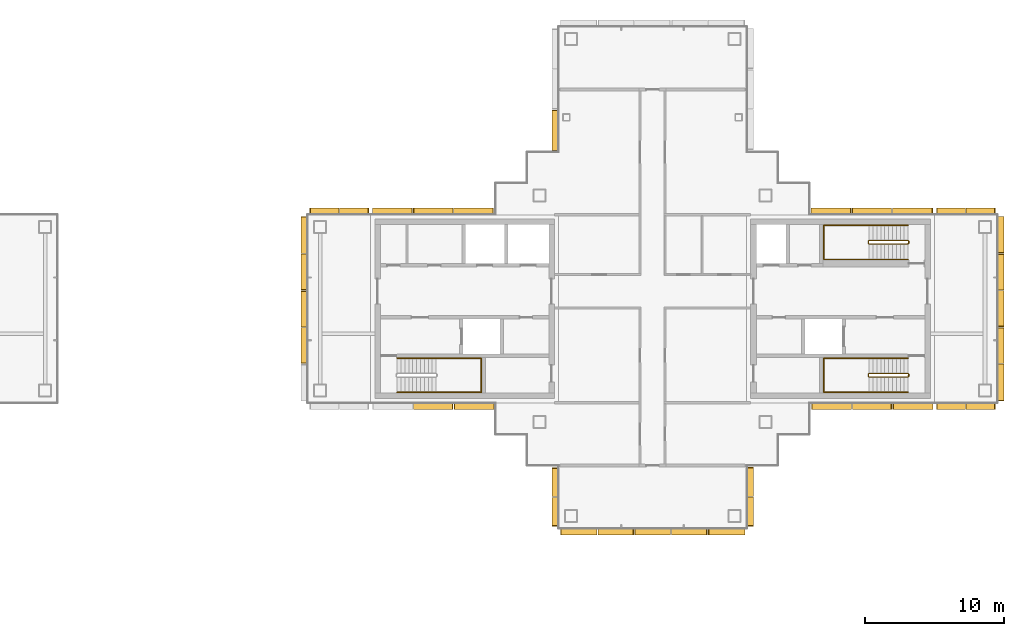
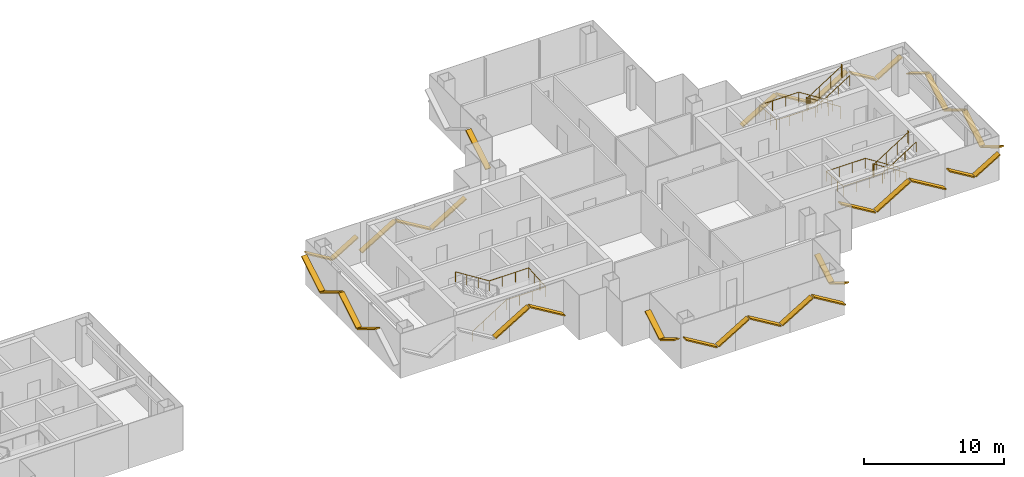
# One storey, part 15 of 17: 36 shading devices, 5 railings.
"""IFC4 building model written with IfcOpenShell, lengths in metres."""

from ifc_helpers import new_model, si_unit, direction, frame, origin, origin_2d, place, context, subcontext, project, spatial, rectangle, circle, extrude, material, material_profile, profile_set, type_object, element, save


model = new_model("IFC4")

# Units and contexts
model_context = context("Model", 3, precision=1e-05, world=origin(), true_north=direction((0.0, 1.0)))
body_context = subcontext(model_context, "Body", "Model", "MODEL_VIEW")
ifc_project = project(units=[si_unit("LENGTHUNIT", "METRE"), si_unit("AREAUNIT", "SQUARE_METRE"), si_unit("VOLUMEUNIT", "CUBIC_METRE"), si_unit("PLANEANGLEUNIT", "RADIAN"), si_unit("MASSUNIT", "GRAM", prefix="KILO")], contexts=[model_context])

# Site, building, storey
site_placement = place(None, origin())
site = spatial("IfcSite", under=ifc_project, at=site_placement, CompositionType="ELEMENT")
building_placement = place(site_placement, origin())
building = spatial("IfcBuilding", under=site, at=building_placement, Name="Shamsa Quay Exchange Towers", CompositionType="ELEMENT")
storey_placement = place(building_placement, frame((0.0, 0.0, 253.800048828125)))
storey = spatial("IfcBuildingStorey", under=building, at=storey_placement, Name="L61", CompositionType="ELEMENT", Elevation=253.800048828125)

# Shading devices
ifc_material_1 = material(Name="Aluminium EN AW-6063 T6, black anodised", Category="aluminium")
ifc_material_profile = material_profile(ifc_material_1, rectangle(XDim=0.449951171875, YDim=0.10009765625, at=origin_2d()), Name="FIN450x100")
ifc_profile_set = profile_set([ifc_material_profile], Name="Aluminium EN AW-6063 T6, black anodised")
shading_device_type = type_object("IfcShadingDeviceType", Name="FIN 450x100 BLACK ALUMINIUM", PredefinedType="USERDEFINED", material=ifc_profile_set)
shading_device_1_placement = place(storey_placement, frame((45.18798828125, -7.01904296875, 2.452392578125), z_axis=(0.857173881605, 0.0, -0.51502712229), x_axis=(0.0, 1.0, 0.0)))
element("IfcShadingDevice", 1, at=shading_device_1_placement, inside=storey, type_object=shading_device_type, Name="FIN T2 chevron rib", ObjectType="FIN", PredefinedType="USERDEFINED", context=body_context, shape_type="SweptSolid", body=[
    extrude(rectangle(XDim=0.449951171875, YDim=0.10009765625, at=origin_2d()), origin(), (0.0, 0.0, 1.0), 3.310302734375),
])
shading_device_2_placement = place(storey_placement, frame((48.125244140625, -7.01904296875, 0.762451171875), z_axis=(0.857168152113, 0.0, 0.515036657922), x_axis=(0.0, 1.0, 0.0)))
element("IfcShadingDevice", 2, at=shading_device_2_placement, inside=storey, type_object=shading_device_type, Name="FIN T2 chevron rib", ObjectType="FIN", PredefinedType="USERDEFINED", context=body_context, shape_type="SweptSolid", body=[
    extrude(rectangle(XDim=0.449951171875, YDim=0.10009765625, at=origin_2d()), origin(), (0.0, 0.0, 1.0), 3.251708984375),
])
shading_device_3_placement = place(storey_placement, frame((51.0126953125, -7.01904296875, 2.452392578125), z_axis=(0.857173881605, 0.0, -0.51502712229), x_axis=(0.0, 1.0, 0.0)))
element("IfcShadingDevice", 3, at=shading_device_3_placement, inside=storey, type_object=shading_device_type, Name="FIN T2 chevron rib", ObjectType="FIN", PredefinedType="USERDEFINED", context=body_context, shape_type="SweptSolid", body=[
    extrude(rectangle(XDim=0.449951171875, YDim=0.10009765625, at=origin_2d()), origin(), (0.0, 0.0, 1.0), 3.310302734375),
])
for number, where, z_axis, x_axis, name in (
    (4, (54.14990234375, -7.014892578125, 2.2158203125), (0.857186526385, 0.0, -0.515006076648), (0.0, 1.0, 0.0), "FIN T2 chevron rib"),
    (5, (56.300048828125, -7.014892578125, 0.984130859375), (0.857186526385, 0.0, 0.515006076648), (0.0, 1.0, 0.0), "FIN T2 chevron rib"),
):
    element("IfcShadingDevice", number, at=place(storey_placement, frame(where, z_axis=z_axis, x_axis=x_axis)), inside=storey, type_object=shading_device_type, Name=name, ObjectType="FIN", PredefinedType="USERDEFINED", context=body_context, shape_type="SweptSolid", body=[
        extrude(rectangle(XDim=0.449951171875, YDim=0.10009765625, at=origin_2d()), origin(), (0.0, 0.0, 1.0), 2.3916015625),
    ])
shading_device_4_placement = place(storey_placement, frame((58.764892578125, -6.60009765625, 2.378173828125), z_axis=(0.0, 0.857150546907, -0.51506595688), x_axis=(-1.0, 0.0, 0.0)))
element("IfcShadingDevice", 6, at=shading_device_4_placement, inside=storey, type_object=shading_device_type, Name="FIN T2 chevron rib", ObjectType="FIN", PredefinedType="USERDEFINED", context=body_context, shape_type="SweptSolid", body=[
    extrude(rectangle(XDim=0.449951171875, YDim=0.10009765625, at=origin_2d()), origin(), (0.0, 0.0, 1.0), 3.021728515625),
])
for number, where, z_axis, x_axis, name in (
    (7, (58.764892578125, -3.909912109375, 0.8369140625), (0.0, 0.857158316574, 0.515053026714), (-1.0, 0.0, 0.0), "FIN T2 chevron rib"),
    (8, (58.764892578125, -1.27001953125, 2.363037109375), (0.0, 0.857180172053, -0.515016652778), (-1.0, 0.0, 0.0), "FIN T2 chevron rib"),
    (9, (58.764892578125, 1.3701171875, 0.8369140625), (0.0, 0.857158316574, 0.515053026714), (-1.0, 0.0, 0.0), "FIN T2 chevron rib"),
):
    element("IfcShadingDevice", number, at=place(storey_placement, frame(where, z_axis=z_axis, x_axis=x_axis)), inside=storey, type_object=shading_device_type, Name=name, ObjectType="FIN", PredefinedType="USERDEFINED", context=body_context, shape_type="SweptSolid", body=[
        extrude(rectangle(XDim=0.449951171875, YDim=0.10009765625, at=origin_2d()), origin(), (0.0, 0.0, 1.0), 2.963134765625),
    ])
shading_device_5_placement = place(storey_placement, frame((58.764892578125, 4.010009765625, 2.378173828125), z_axis=(0.0, 0.857150546907, -0.51506595688), x_axis=(-1.0, 0.0, 0.0)))
element("IfcShadingDevice", 10, at=shading_device_5_placement, inside=storey, type_object=shading_device_type, Name="FIN T2 chevron rib", ObjectType="FIN", PredefinedType="USERDEFINED", context=body_context, shape_type="SweptSolid", body=[
    extrude(rectangle(XDim=0.449951171875, YDim=0.10009765625, at=origin_2d()), origin(), (0.0, 0.0, 1.0), 3.021728515625),
])
for number, where, z_axis, x_axis, name in (
    (11, (58.35009765625, 7.014892578125, 2.2158203125), (-0.857186526385, 0.0, -0.515006076648), (0.0, -1.0, 0.0), "FIN T2 chevron rib"),
    (12, (56.199951171875, 7.014892578125, 0.984130859375), (-0.857186526385, 0.0, 0.515006076648), (0.0, -1.0, 0.0), "FIN T2 chevron rib"),
):
    element("IfcShadingDevice", number, at=place(storey_placement, frame(where, z_axis=z_axis, x_axis=x_axis)), inside=storey, type_object=shading_device_type, Name=name, ObjectType="FIN", PredefinedType="USERDEFINED", context=body_context, shape_type="SweptSolid", body=[
        extrude(rectangle(XDim=0.449951171875, YDim=0.10009765625, at=origin_2d()), origin(), (0.0, 0.0, 1.0), 2.3916015625),
    ])
shading_device_6_placement = place(storey_placement, frame((53.85009765625, 7.01904296875, 2.456298828125), z_axis=(-0.857149370538, 0.0, -0.515067914538), x_axis=(0.0, -1.0, 0.0)))
element("IfcShadingDevice", 13, at=shading_device_6_placement, inside=storey, type_object=shading_device_type, Name="FIN T2 chevron rib", ObjectType="FIN", PredefinedType="USERDEFINED", context=body_context, shape_type="SweptSolid", body=[
    extrude(rectangle(XDim=0.449951171875, YDim=0.10009765625, at=origin_2d()), origin(), (0.0, 0.0, 1.0), 3.3251953125),
])
shading_device_7_placement = place(storey_placement, frame((50.89990234375, 7.01904296875, 0.7587890625), z_axis=(-0.857156397537, 0.0, 0.515056220389), x_axis=(0.0, -1.0, 0.0)))
element("IfcShadingDevice", 14, at=shading_device_7_placement, inside=storey, type_object=shading_device_type, Name="FIN T2 chevron rib", ObjectType="FIN", PredefinedType="USERDEFINED", context=body_context, shape_type="SweptSolid", body=[
    extrude(rectangle(XDim=0.449951171875, YDim=0.10009765625, at=origin_2d()), origin(), (0.0, 0.0, 1.0), 3.266357421875),
])
for number, where, z_axis, x_axis, name in (
    (15, (48.0, 7.01904296875, 2.456298828125), (-0.857149370538, 0.0, -0.515067914538), (0.0, -1.0, 0.0), "FIN T2 chevron rib"),
    (16, (26.735107421875, 14.25, 2.456298828125), (0.0, -0.857149370538, -0.515067914538), (1.0, 0.0, 0.0), "FIN T2 chevron rib"),
):
    element("IfcShadingDevice", number, at=place(storey_placement, frame(where, z_axis=z_axis, x_axis=x_axis)), inside=storey, type_object=shading_device_type, Name=name, ObjectType="FIN", PredefinedType="USERDEFINED", context=body_context, shape_type="SweptSolid", body=[
        extrude(rectangle(XDim=0.449951171875, YDim=0.10009765625, at=origin_2d()), origin(), (0.0, 0.0, 1.0), 3.3251953125),
    ])
shading_device_8_placement = place(storey_placement, frame((22.31201171875, 7.01904296875, 2.452392578125), z_axis=(-0.857173881605, 0.0, -0.51502712229), x_axis=(0.0, -1.0, 0.0)))
element("IfcShadingDevice", 17, at=shading_device_8_placement, inside=storey, type_object=shading_device_type, Name="FIN T2 chevron rib", ObjectType="FIN", PredefinedType="USERDEFINED", context=body_context, shape_type="SweptSolid", body=[
    extrude(rectangle(XDim=0.449951171875, YDim=0.10009765625, at=origin_2d()), origin(), (0.0, 0.0, 1.0), 3.310302734375),
])
shading_device_9_placement = place(storey_placement, frame((19.374755859375, 7.01904296875, 0.762451171875), z_axis=(-0.857168152113, 0.0, 0.515036657922), x_axis=(0.0, -1.0, 0.0)))
element("IfcShadingDevice", 18, at=shading_device_9_placement, inside=storey, type_object=shading_device_type, Name="FIN T2 chevron rib", ObjectType="FIN", PredefinedType="USERDEFINED", context=body_context, shape_type="SweptSolid", body=[
    extrude(rectangle(XDim=0.449951171875, YDim=0.10009765625, at=origin_2d()), origin(), (0.0, 0.0, 1.0), 3.251708984375),
])
shading_device_10_placement = place(storey_placement, frame((16.4873046875, 7.01904296875, 2.452392578125), z_axis=(-0.857173881605, 0.0, -0.51502712229), x_axis=(0.0, -1.0, 0.0)))
element("IfcShadingDevice", 19, at=shading_device_10_placement, inside=storey, type_object=shading_device_type, Name="FIN T2 chevron rib", ObjectType="FIN", PredefinedType="USERDEFINED", context=body_context, shape_type="SweptSolid", body=[
    extrude(rectangle(XDim=0.449951171875, YDim=0.10009765625, at=origin_2d()), origin(), (0.0, 0.0, 1.0), 3.310302734375),
])
for number, where, z_axis, x_axis, name in (
    (20, (13.35009765625, 7.014892578125, 2.2158203125), (-0.857186526385, 0.0, -0.515006076648), (0.0, -1.0, 0.0), "FIN T2 chevron rib"),
    (21, (11.199951171875, 7.014892578125, 0.984130859375), (-0.857186526385, 0.0, 0.515006076648), (0.0, -1.0, 0.0), "FIN T2 chevron rib"),
):
    element("IfcShadingDevice", number, at=place(storey_placement, frame(where, z_axis=z_axis, x_axis=x_axis)), inside=storey, type_object=shading_device_type, Name=name, ObjectType="FIN", PredefinedType="USERDEFINED", context=body_context, shape_type="SweptSolid", body=[
        extrude(rectangle(XDim=0.449951171875, YDim=0.10009765625, at=origin_2d()), origin(), (0.0, 0.0, 1.0), 2.3916015625),
    ])
shading_device_11_placement = place(storey_placement, frame((8.735107421875, 6.60009765625, 2.378173828125), z_axis=(0.0, -0.857150546907, -0.51506595688), x_axis=(1.0, 0.0, 0.0)))
element("IfcShadingDevice", 22, at=shading_device_11_placement, inside=storey, type_object=shading_device_type, Name="FIN T2 chevron rib", ObjectType="FIN", PredefinedType="USERDEFINED", context=body_context, shape_type="SweptSolid", body=[
    extrude(rectangle(XDim=0.449951171875, YDim=0.10009765625, at=origin_2d()), origin(), (0.0, 0.0, 1.0), 3.021728515625),
])
for number, where, z_axis, x_axis, name in (
    (23, (8.735107421875, 3.909912109375, 0.8369140625), (0.0, -0.857158316574, 0.515053026714), (1.0, 0.0, 0.0), "FIN T2 chevron rib"),
    (24, (8.735107421875, 1.27001953125, 2.363037109375), (0.0, -0.857180172053, -0.515016652778), (1.0, 0.0, 0.0), "FIN T2 chevron rib"),
    (25, (8.735107421875, -1.3701171875, 0.8369140625), (0.0, -0.857158316574, 0.515053026714), (1.0, 0.0, 0.0), "FIN T2 chevron rib"),
):
    element("IfcShadingDevice", number, at=place(storey_placement, frame(where, z_axis=z_axis, x_axis=x_axis)), inside=storey, type_object=shading_device_type, Name=name, ObjectType="FIN", PredefinedType="USERDEFINED", context=body_context, shape_type="SweptSolid", body=[
        extrude(rectangle(XDim=0.449951171875, YDim=0.10009765625, at=origin_2d()), origin(), (0.0, 0.0, 1.0), 2.963134765625),
    ])
shading_device_12_placement = place(storey_placement, frame((16.60009765625, -7.01904296875, 0.7587890625), z_axis=(0.857156397537, 0.0, 0.515056220389), x_axis=(0.0, 1.0, 0.0)))
element("IfcShadingDevice", 26, at=shading_device_12_placement, inside=storey, type_object=shading_device_type, Name="FIN T2 chevron rib", ObjectType="FIN", PredefinedType="USERDEFINED", context=body_context, shape_type="SweptSolid", body=[
    extrude(rectangle(XDim=0.449951171875, YDim=0.10009765625, at=origin_2d()), origin(), (0.0, 0.0, 1.0), 3.266357421875),
])
shading_device_13_placement = place(storey_placement, frame((19.5, -7.01904296875, 2.456298828125), z_axis=(0.857149370538, 0.0, -0.515067914538), x_axis=(0.0, 1.0, 0.0)))
element("IfcShadingDevice", 27, at=shading_device_13_placement, inside=storey, type_object=shading_device_type, Name="FIN T2 chevron rib", ObjectType="FIN", PredefinedType="USERDEFINED", context=body_context, shape_type="SweptSolid", body=[
    extrude(rectangle(XDim=0.449951171875, YDim=0.10009765625, at=origin_2d()), origin(), (0.0, 0.0, 1.0), 3.3251953125),
])
for number, where, z_axis, x_axis, name in (
    (28, (26.735107421875, -11.43798828125, 2.210205078125), (0.0, -0.857147262471, -0.515071422658), (1.0, 0.0, 0.0), "FIN T2 chevron rib"),
    (29, (26.735107421875, -13.569091796875, 0.98974609375), (0.0, -0.857147262471, 0.515071422658), (1.0, 0.0, 0.0), "FIN T2 chevron rib"),
):
    element("IfcShadingDevice", number, at=place(storey_placement, frame(where, z_axis=z_axis, x_axis=x_axis)), inside=storey, type_object=shading_device_type, Name=name, ObjectType="FIN", PredefinedType="USERDEFINED", context=body_context, shape_type="SweptSolid", body=[
        extrude(rectangle(XDim=0.449951171875, YDim=0.10009765625, at=origin_2d()), origin(), (0.0, 0.0, 1.0), 2.369384765625),
    ])
shading_device_14_placement = place(storey_placement, frame((27.14990234375, -16.014892578125, 2.378173828125), z_axis=(0.857150546907, 0.0, -0.51506595688), x_axis=(0.0, 1.0, 0.0)))
element("IfcShadingDevice", 30, at=shading_device_14_placement, inside=storey, type_object=shading_device_type, Name="FIN T2 chevron rib", ObjectType="FIN", PredefinedType="USERDEFINED", context=body_context, shape_type="SweptSolid", body=[
    extrude(rectangle(XDim=0.449951171875, YDim=0.10009765625, at=origin_2d()), origin(), (0.0, 0.0, 1.0), 3.021728515625),
])
for number, where, z_axis, x_axis, name in (
    (31, (29.840087890625, -16.014892578125, 0.8369140625), (0.857158316574, 0.0, 0.515053026714), (0.0, 1.0, 0.0), "FIN T2 chevron rib"),
    (32, (32.47998046875, -16.014892578125, 2.363037109375), (0.857180172053, 0.0, -0.515016652778), (0.0, 1.0, 0.0), "FIN T2 chevron rib"),
    (33, (35.1201171875, -16.014892578125, 0.8369140625), (0.857158316574, 0.0, 0.515053026714), (0.0, 1.0, 0.0), "FIN T2 chevron rib"),
):
    element("IfcShadingDevice", number, at=place(storey_placement, frame(where, z_axis=z_axis, x_axis=x_axis)), inside=storey, type_object=shading_device_type, Name=name, ObjectType="FIN", PredefinedType="USERDEFINED", context=body_context, shape_type="SweptSolid", body=[
        extrude(rectangle(XDim=0.449951171875, YDim=0.10009765625, at=origin_2d()), origin(), (0.0, 0.0, 1.0), 2.963134765625),
    ])
shading_device_15_placement = place(storey_placement, frame((37.760009765625, -16.014892578125, 2.378173828125), z_axis=(0.857150546907, 0.0, -0.51506595688), x_axis=(0.0, 1.0, 0.0)))
element("IfcShadingDevice", 34, at=shading_device_15_placement, inside=storey, type_object=shading_device_type, Name="FIN T2 chevron rib", ObjectType="FIN", PredefinedType="USERDEFINED", context=body_context, shape_type="SweptSolid", body=[
    extrude(rectangle(XDim=0.449951171875, YDim=0.10009765625, at=origin_2d()), origin(), (0.0, 0.0, 1.0), 3.021728515625),
])
for number, where, z_axis, x_axis, name in (
    (35, (40.764892578125, -15.60009765625, 2.2158203125), (0.0, 0.857186526385, -0.515006076648), (-1.0, 0.0, 0.0), "FIN T2 chevron rib"),
    (36, (40.764892578125, -13.449951171875, 0.984130859375), (0.0, 0.857186526385, 0.515006076648), (-1.0, 0.0, 0.0), "FIN T2 chevron rib"),
):
    element("IfcShadingDevice", number, at=place(storey_placement, frame(where, z_axis=z_axis, x_axis=x_axis)), inside=storey, type_object=shading_device_type, Name=name, ObjectType="FIN", PredefinedType="USERDEFINED", context=body_context, shape_type="SweptSolid", body=[
        extrude(rectangle(XDim=0.449951171875, YDim=0.10009765625, at=origin_2d()), origin(), (0.0, 0.0, 1.0), 2.3916015625),
    ])

# Railings
ifc_material_2 = material(Name="Stainless steel", Category="steel")
railing_type_1 = type_object("IfcRailingType", Name="STAIR GUARD 1100", PredefinedType="GUARDRAIL", material=ifc_material_2)
railing_1_placement = place(storey_placement, frame((52.10009765625, -4.64990234375, 0.17724609375)))
element("IfcRailing", 37, at=railing_1_placement, inside=storey, type_object=railing_type_1, Name="L61 ST5 stair guard 1", PredefinedType="GUARDRAIL", context=body_context, shape_type="SweptSolid", body=[
    extrude(circle(Radius=0.02392578125, at=origin_2d()), frame((0.0, 0.0, 1.076171875), z_axis=(-0.844908973607, 0.0, 0.534910110503), x_axis=(0.0, -1.0, 0.0)), (0.0, 0.0, 1.0), 3.31396484375),
    extrude(circle(Radius=0.02392578125, at=origin_2d()), frame((-2.800048828125, 0.0, 2.8486328125), z_axis=(-0.707106781187, -0.707106781187, 0.0), x_axis=(0.707106781187, -0.707106781187, 0.0)), (0.0, 0.0, 1.0), 0.07080078125),
    extrude(circle(Radius=0.02392578125, at=origin_2d()), frame((-2.85009765625, -0.050048828125, 2.8486328125), z_axis=(0.0, -1.0, 0.0), x_axis=(1.0, 0.0, 0.0)), (0.0, 0.0, 1.0), 0.150146484375),
    extrude(circle(Radius=0.02392578125, at=origin_2d()), frame((-2.85009765625, -0.2001953125, 2.8486328125), z_axis=(0.262321481514, -0.261041864531, 0.929001929653), x_axis=(0.705375805398, 0.708833529934, 0.0)), (0.0, 0.0, 1.0), 0.190673828125),
    extrude(circle(Radius=0.02392578125, at=origin_2d()), frame((-2.800048828125, -0.25, 3.02587890625), z_axis=(0.844908973607, 0.0, 0.534910110503), x_axis=(0.0, 1.0, 0.0)), (0.0, 0.0, 1.0), 3.31396484375),
    extrude(circle(Radius=0.02392578125, at=origin_2d()), frame((0.0, -0.25, 4.798828125), z_axis=(0.241699205484, 0.970351222016, 0.0), x_axis=(-0.970351222016, 0.241699205484, 0.0)), (0.0, 0.0, 1.0), 0.2060546875),
    extrude(circle(Radius=0.02392578125, at=origin_2d()), frame((0.0498046875, -0.050048828125, 4.798828125), z_axis=(0.0, -1.0, 0.0), x_axis=(1.0, 0.0, 0.0)), (0.0, 0.0, 1.0), 0.150146484375),
    extrude(circle(Radius=0.02099609375, at=origin_2d()), origin(), (0.0, 0.0, 1.0), 1.052001953125),
    extrude(circle(Radius=0.02099609375, at=origin_2d()), frame((-0.933349609375, 0.0, 0.5908203125)), (0.0, 0.0, 1.0), 1.052001953125),
    extrude(circle(Radius=0.02099609375, at=origin_2d()), frame((-1.86669921875, 0.0, 1.181884765625)), (0.0, 0.0, 1.0), 1.052001953125),
    extrude(circle(Radius=0.02099609375, at=origin_2d()), frame((-2.800048828125, 0.0, 1.772705078125)), (0.0, 0.0, 1.0), 1.052001953125),
    extrude(circle(Radius=0.02099609375, at=origin_2d()), frame((-2.85009765625, -0.050048828125, 1.772705078125)), (0.0, 0.0, 1.0), 1.052001953125),
    extrude(circle(Radius=0.02099609375, at=origin_2d()), frame((-2.85009765625, -0.2001953125, 1.772705078125)), (0.0, 0.0, 1.0), 1.052001953125),
    extrude(circle(Radius=0.02099609375, at=origin_2d()), frame((-2.800048828125, -0.25, 1.949951171875)), (0.0, 0.0, 1.0), 1.052001953125),
    extrude(circle(Radius=0.02099609375, at=origin_2d()), frame((-1.86669921875, -0.25, 2.540771484375)), (0.0, 0.0, 1.0), 1.052001953125),
    extrude(circle(Radius=0.02099609375, at=origin_2d()), frame((-0.933349609375, -0.25, 3.1318359375)), (0.0, 0.0, 1.0), 1.052001953125),
    extrude(circle(Radius=0.02099609375, at=origin_2d()), frame((0.0, -0.25, 3.72265625)), (0.0, 0.0, 1.0), 1.052001953125),
    extrude(circle(Radius=0.02099609375, at=origin_2d()), frame((0.0498046875, -0.050048828125, 3.72265625)), (0.0, 0.0, 1.0), 1.052001953125),
    extrude(circle(Radius=0.02099609375, at=origin_2d()), frame((0.0498046875, -0.2001953125, 3.72265625)), (0.0, 0.0, 1.0), 1.052001953125),
])
railing_2_placement = place(storey_placement, frame((52.10009765625, 4.89990234375, 0.17724609375)))
element("IfcRailing", 38, at=railing_2_placement, inside=storey, type_object=railing_type_1, Name="L61 ST6 stair guard 1", PredefinedType="GUARDRAIL", context=body_context, shape_type="SweptSolid", body=[
    extrude(circle(Radius=0.02392578125, at=origin_2d()), frame((0.0, 0.0, 1.076171875), z_axis=(-0.844908973607, 0.0, 0.534910110503), x_axis=(0.0, -1.0, 0.0)), (0.0, 0.0, 1.0), 3.31396484375),
    extrude(circle(Radius=0.02392578125, at=origin_2d()), frame((-2.800048828125, 0.0, 2.8486328125), z_axis=(-0.708833529934, -0.705375805398, 0.0), x_axis=(0.705375805398, -0.708833529934, 0.0)), (0.0, 0.0, 1.0), 0.070556640625),
    extrude(circle(Radius=0.02392578125, at=origin_2d()), frame((-2.85009765625, -0.0498046875, 2.8486328125), z_axis=(0.0, -1.0, 0.0), x_axis=(1.0, 0.0, 0.0)), (0.0, 0.0, 1.0), 0.150146484375),
    extrude(circle(Radius=0.02392578125, at=origin_2d()), frame((-2.85009765625, -0.199951171875, 2.8486328125), z_axis=(0.262233686654, -0.262233686654, 0.928691007369), x_axis=(0.707106781187, 0.707106781187, 0.0)), (0.0, 0.0, 1.0), 0.19091796875),
    extrude(circle(Radius=0.02392578125, at=origin_2d()), frame((-2.800048828125, -0.25, 3.02587890625), z_axis=(0.844908973607, 0.0, 0.534910110503), x_axis=(0.0, 1.0, 0.0)), (0.0, 0.0, 1.0), 3.31396484375),
    extrude(circle(Radius=0.02392578125, at=origin_2d()), frame((0.0, -0.25, 4.798828125), z_axis=(0.24142163986, 0.970420317083, 0.0), x_axis=(-0.970420317083, 0.24142163986, 0.0)), (0.0, 0.0, 1.0), 0.206298828125),
    extrude(circle(Radius=0.02392578125, at=origin_2d()), frame((0.0498046875, -0.0498046875, 4.798828125), z_axis=(0.0, -1.0, 0.0), x_axis=(1.0, 0.0, 0.0)), (0.0, 0.0, 1.0), 0.150146484375),
    extrude(circle(Radius=0.02099609375, at=origin_2d()), origin(), (0.0, 0.0, 1.0), 1.052001953125),
    extrude(circle(Radius=0.02099609375, at=origin_2d()), frame((-0.933349609375, 0.0, 0.5908203125)), (0.0, 0.0, 1.0), 1.052001953125),
    extrude(circle(Radius=0.02099609375, at=origin_2d()), frame((-1.86669921875, 0.0, 1.181884765625)), (0.0, 0.0, 1.0), 1.052001953125),
    extrude(circle(Radius=0.02099609375, at=origin_2d()), frame((-2.800048828125, 0.0, 1.772705078125)), (0.0, 0.0, 1.0), 1.052001953125),
    extrude(circle(Radius=0.02099609375, at=origin_2d()), frame((-2.85009765625, -0.0498046875, 1.772705078125)), (0.0, 0.0, 1.0), 1.052001953125),
    extrude(circle(Radius=0.02099609375, at=origin_2d()), frame((-2.85009765625, -0.199951171875, 1.772705078125)), (0.0, 0.0, 1.0), 1.052001953125),
    extrude(circle(Radius=0.02099609375, at=origin_2d()), frame((-2.800048828125, -0.25, 1.949951171875)), (0.0, 0.0, 1.0), 1.052001953125),
    extrude(circle(Radius=0.02099609375, at=origin_2d()), frame((-1.86669921875, -0.25, 2.540771484375)), (0.0, 0.0, 1.0), 1.052001953125),
    extrude(circle(Radius=0.02099609375, at=origin_2d()), frame((-0.933349609375, -0.25, 3.1318359375)), (0.0, 0.0, 1.0), 1.052001953125),
    extrude(circle(Radius=0.02099609375, at=origin_2d()), frame((0.0, -0.25, 3.72265625)), (0.0, 0.0, 1.0), 1.052001953125),
    extrude(circle(Radius=0.02099609375, at=origin_2d()), frame((0.0498046875, -0.0498046875, 3.72265625)), (0.0, 0.0, 1.0), 1.052001953125),
    extrude(circle(Radius=0.02099609375, at=origin_2d()), frame((0.0498046875, -0.199951171875, 3.72265625)), (0.0, 0.0, 1.0), 1.052001953125),
])
railing_type_2 = type_object("IfcRailingType", Name="STAIR HANDRAIL 900", PredefinedType="HANDRAIL", material=ifc_material_2)
railing_3_placement = place(storey_placement, frame((15.39990234375, -6.0, 0.17724609375)))
element("IfcRailing", 39, at=railing_3_placement, inside=storey, type_object=railing_type_2, Name="L61 ST4 stair handrail 1", PredefinedType="HANDRAIL", context=body_context, shape_type="SweptSolid", body=[
    extrude(circle(Radius=0.02392578125, at=origin_2d()), frame((0.0, 0.0, 0.8759765625), z_axis=(0.844908973607, 0.0, 0.534910110503), x_axis=(0.0, 1.0, 0.0)), (0.0, 0.0, 1.0), 3.31396484375),
    extrude(circle(Radius=0.02392578125, at=origin_2d()), frame((2.800048828125, 0.0, 2.6484375), z_axis=(1.0, 0.0, 0.0), x_axis=(0.0, 1.0, 0.0)), (0.0, 0.0, 1.0), 3.25),
    extrude(circle(Radius=0.02392578125, at=origin_2d()), frame((6.050048828125, 0.0, 2.6484375), z_axis=(0.0, 0.997393199914, 0.07215819264), x_axis=(-1.0, 0.0, 0.0)), (0.0, 0.0, 1.0), 2.456298828125),
    extrude(circle(Radius=0.02392578125, at=origin_2d()), frame((6.050048828125, 2.449951171875, 2.82568359375), z_axis=(-1.0, 0.0, 0.0), x_axis=(0.0, -1.0, 0.0)), (0.0, 0.0, 1.0), 3.25),
    extrude(circle(Radius=0.02392578125, at=origin_2d()), frame((2.800048828125, 2.449951171875, 2.82568359375), z_axis=(-0.844908973607, 0.0, 0.534910110503), x_axis=(0.0, -1.0, 0.0)), (0.0, 0.0, 1.0), 3.31396484375),
    extrude(circle(Radius=0.02099609375, at=origin_2d()), origin(), (0.0, 0.0, 1.0), 0.851806640625),
    extrude(circle(Radius=0.02099609375, at=origin_2d()), frame((0.933349609375, 0.0, 0.5908203125)), (0.0, 0.0, 1.0), 0.851806640625),
    extrude(circle(Radius=0.02099609375, at=origin_2d()), frame((1.86669921875, 0.0, 1.181884765625)), (0.0, 0.0, 1.0), 0.851806640625),
    extrude(circle(Radius=0.02099609375, at=origin_2d()), frame((2.800048828125, 0.0, 1.772705078125)), (0.0, 0.0, 1.0), 0.851806640625),
    extrude(circle(Radius=0.02099609375, at=origin_2d()), frame((3.88330078125, 0.0, 1.772705078125)), (0.0, 0.0, 1.0), 0.851806640625),
    extrude(circle(Radius=0.02099609375, at=origin_2d()), frame((4.966796875, 0.0, 1.772705078125)), (0.0, 0.0, 1.0), 0.851806640625),
    extrude(circle(Radius=0.02099609375, at=origin_2d()), frame((6.050048828125, 0.0, 1.772705078125)), (0.0, 0.0, 1.0), 0.851806640625),
    extrude(circle(Radius=0.02099609375, at=origin_2d()), frame((6.050048828125, 0.816650390625, 1.831787109375)), (0.0, 0.0, 1.0), 0.851806640625),
    extrude(circle(Radius=0.02099609375, at=origin_2d()), frame((6.050048828125, 1.63330078125, 1.890869140625)), (0.0, 0.0, 1.0), 0.851806640625),
    extrude(circle(Radius=0.02099609375, at=origin_2d()), frame((6.050048828125, 2.449951171875, 1.949951171875)), (0.0, 0.0, 1.0), 0.851806640625),
    extrude(circle(Radius=0.02099609375, at=origin_2d()), frame((4.966796875, 2.449951171875, 1.949951171875)), (0.0, 0.0, 1.0), 0.851806640625),
    extrude(circle(Radius=0.02099609375, at=origin_2d()), frame((3.88330078125, 2.449951171875, 1.949951171875)), (0.0, 0.0, 1.0), 0.851806640625),
    extrude(circle(Radius=0.02099609375, at=origin_2d()), frame((2.800048828125, 2.449951171875, 1.949951171875)), (0.0, 0.0, 1.0), 0.851806640625),
    extrude(circle(Radius=0.02099609375, at=origin_2d()), frame((1.86669921875, 2.449951171875, 2.540771484375)), (0.0, 0.0, 1.0), 0.851806640625),
    extrude(circle(Radius=0.02099609375, at=origin_2d()), frame((0.933349609375, 2.449951171875, 3.1318359375)), (0.0, 0.0, 1.0), 0.851806640625),
    extrude(circle(Radius=0.02099609375, at=origin_2d()), frame((0.0, 2.449951171875, 3.72265625)), (0.0, 0.0, 1.0), 0.851806640625),
])
railing_4_placement = place(storey_placement, frame((52.10009765625, -3.550048828125, 0.17724609375)))
element("IfcRailing", 40, at=railing_4_placement, inside=storey, type_object=railing_type_2, Name="L61 ST5 stair handrail 1", PredefinedType="HANDRAIL", context=body_context, shape_type="SweptSolid", body=[
    extrude(circle(Radius=0.02392578125, at=origin_2d()), frame((0.0, 0.0, 0.8759765625), z_axis=(-0.844908973607, 0.0, 0.534910110503), x_axis=(0.0, -1.0, 0.0)), (0.0, 0.0, 1.0), 3.31396484375),
    extrude(circle(Radius=0.02392578125, at=origin_2d()), frame((-2.800048828125, 0.0, 2.6484375), z_axis=(-1.0, 0.0, 0.0), x_axis=(0.0, -1.0, 0.0)), (0.0, 0.0, 1.0), 3.25),
    extrude(circle(Radius=0.02392578125, at=origin_2d()), frame((-6.050048828125, 0.0, 2.6484375), z_axis=(0.0, -0.997393199914, 0.07215819264), x_axis=(1.0, 0.0, 0.0)), (0.0, 0.0, 1.0), 2.456298828125),
    extrude(circle(Radius=0.02392578125, at=origin_2d()), frame((-6.050048828125, -2.449951171875, 2.82568359375), z_axis=(1.0, 0.0, 0.0), x_axis=(0.0, 1.0, 0.0)), (0.0, 0.0, 1.0), 3.25),
    extrude(circle(Radius=0.02392578125, at=origin_2d()), frame((-2.800048828125, -2.449951171875, 2.82568359375), z_axis=(0.844908973607, 0.0, 0.534910110503), x_axis=(0.0, 1.0, 0.0)), (0.0, 0.0, 1.0), 3.31396484375),
    extrude(circle(Radius=0.02099609375, at=origin_2d()), origin(), (0.0, 0.0, 1.0), 0.851806640625),
    extrude(circle(Radius=0.02099609375, at=origin_2d()), frame((-0.933349609375, 0.0, 0.5908203125)), (0.0, 0.0, 1.0), 0.851806640625),
    extrude(circle(Radius=0.02099609375, at=origin_2d()), frame((-1.86669921875, 0.0, 1.181884765625)), (0.0, 0.0, 1.0), 0.851806640625),
    extrude(circle(Radius=0.02099609375, at=origin_2d()), frame((-2.800048828125, 0.0, 1.772705078125)), (0.0, 0.0, 1.0), 0.851806640625),
    extrude(circle(Radius=0.02099609375, at=origin_2d()), frame((-3.88330078125, 0.0, 1.772705078125)), (0.0, 0.0, 1.0), 0.851806640625),
    extrude(circle(Radius=0.02099609375, at=origin_2d()), frame((-4.966796875, 0.0, 1.772705078125)), (0.0, 0.0, 1.0), 0.851806640625),
    extrude(circle(Radius=0.02099609375, at=origin_2d()), frame((-6.050048828125, 0.0, 1.772705078125)), (0.0, 0.0, 1.0), 0.851806640625),
    extrude(circle(Radius=0.02099609375, at=origin_2d()), frame((-6.050048828125, -0.816650390625, 1.831787109375)), (0.0, 0.0, 1.0), 0.851806640625),
    extrude(circle(Radius=0.02099609375, at=origin_2d()), frame((-6.050048828125, -1.63330078125, 1.890869140625)), (0.0, 0.0, 1.0), 0.851806640625),
    extrude(circle(Radius=0.02099609375, at=origin_2d()), frame((-6.050048828125, -2.449951171875, 1.949951171875)), (0.0, 0.0, 1.0), 0.851806640625),
    extrude(circle(Radius=0.02099609375, at=origin_2d()), frame((-4.966796875, -2.449951171875, 1.949951171875)), (0.0, 0.0, 1.0), 0.851806640625),
    extrude(circle(Radius=0.02099609375, at=origin_2d()), frame((-3.88330078125, -2.449951171875, 1.949951171875)), (0.0, 0.0, 1.0), 0.851806640625),
    extrude(circle(Radius=0.02099609375, at=origin_2d()), frame((-2.800048828125, -2.449951171875, 1.949951171875)), (0.0, 0.0, 1.0), 0.851806640625),
    extrude(circle(Radius=0.02099609375, at=origin_2d()), frame((-1.86669921875, -2.449951171875, 2.540771484375)), (0.0, 0.0, 1.0), 0.851806640625),
    extrude(circle(Radius=0.02099609375, at=origin_2d()), frame((-0.933349609375, -2.449951171875, 3.1318359375)), (0.0, 0.0, 1.0), 0.851806640625),
    extrude(circle(Radius=0.02099609375, at=origin_2d()), frame((0.0, -2.449951171875, 3.72265625)), (0.0, 0.0, 1.0), 0.851806640625),
])
railing_5_placement = place(storey_placement, frame((52.10009765625, 6.0, 0.17724609375)))
element("IfcRailing", 41, at=railing_5_placement, inside=storey, type_object=railing_type_2, Name="L61 ST6 stair handrail 1", PredefinedType="HANDRAIL", context=body_context, shape_type="SweptSolid", body=[
    extrude(circle(Radius=0.02392578125, at=origin_2d()), frame((0.0, 0.0, 0.8759765625), z_axis=(-0.844908973607, 0.0, 0.534910110503), x_axis=(0.0, -1.0, 0.0)), (0.0, 0.0, 1.0), 3.31396484375),
    extrude(circle(Radius=0.02392578125, at=origin_2d()), frame((-2.800048828125, 0.0, 2.6484375), z_axis=(-1.0, 0.0, 0.0), x_axis=(0.0, -1.0, 0.0)), (0.0, 0.0, 1.0), 3.25),
    extrude(circle(Radius=0.02392578125, at=origin_2d()), frame((-6.050048828125, 0.0, 2.6484375), z_axis=(0.0, -0.997393199914, 0.07215819264), x_axis=(1.0, 0.0, 0.0)), (0.0, 0.0, 1.0), 2.456298828125),
    extrude(circle(Radius=0.02392578125, at=origin_2d()), frame((-6.050048828125, -2.449951171875, 2.82568359375), z_axis=(1.0, 0.0, 0.0), x_axis=(0.0, 1.0, 0.0)), (0.0, 0.0, 1.0), 3.25),
    extrude(circle(Radius=0.02392578125, at=origin_2d()), frame((-2.800048828125, -2.449951171875, 2.82568359375), z_axis=(0.844908973607, 0.0, 0.534910110503), x_axis=(0.0, 1.0, 0.0)), (0.0, 0.0, 1.0), 3.31396484375),
    extrude(circle(Radius=0.02099609375, at=origin_2d()), origin(), (0.0, 0.0, 1.0), 0.851806640625),
    extrude(circle(Radius=0.02099609375, at=origin_2d()), frame((-0.933349609375, 0.0, 0.5908203125)), (0.0, 0.0, 1.0), 0.851806640625),
    extrude(circle(Radius=0.02099609375, at=origin_2d()), frame((-1.86669921875, 0.0, 1.181884765625)), (0.0, 0.0, 1.0), 0.851806640625),
    extrude(circle(Radius=0.02099609375, at=origin_2d()), frame((-2.800048828125, 0.0, 1.772705078125)), (0.0, 0.0, 1.0), 0.851806640625),
    extrude(circle(Radius=0.02099609375, at=origin_2d()), frame((-3.88330078125, 0.0, 1.772705078125)), (0.0, 0.0, 1.0), 0.851806640625),
    extrude(circle(Radius=0.02099609375, at=origin_2d()), frame((-4.966796875, 0.0, 1.772705078125)), (0.0, 0.0, 1.0), 0.851806640625),
    extrude(circle(Radius=0.02099609375, at=origin_2d()), frame((-6.050048828125, 0.0, 1.772705078125)), (0.0, 0.0, 1.0), 0.851806640625),
    extrude(circle(Radius=0.02099609375, at=origin_2d()), frame((-6.050048828125, -0.816650390625, 1.831787109375)), (0.0, 0.0, 1.0), 0.851806640625),
    extrude(circle(Radius=0.02099609375, at=origin_2d()), frame((-6.050048828125, -1.63330078125, 1.890869140625)), (0.0, 0.0, 1.0), 0.851806640625),
    extrude(circle(Radius=0.02099609375, at=origin_2d()), frame((-6.050048828125, -2.449951171875, 1.949951171875)), (0.0, 0.0, 1.0), 0.851806640625),
    extrude(circle(Radius=0.02099609375, at=origin_2d()), frame((-4.966796875, -2.449951171875, 1.949951171875)), (0.0, 0.0, 1.0), 0.851806640625),
    extrude(circle(Radius=0.02099609375, at=origin_2d()), frame((-3.88330078125, -2.449951171875, 1.949951171875)), (0.0, 0.0, 1.0), 0.851806640625),
    extrude(circle(Radius=0.02099609375, at=origin_2d()), frame((-2.800048828125, -2.449951171875, 1.949951171875)), (0.0, 0.0, 1.0), 0.851806640625),
    extrude(circle(Radius=0.02099609375, at=origin_2d()), frame((-1.86669921875, -2.449951171875, 2.540771484375)), (0.0, 0.0, 1.0), 0.851806640625),
    extrude(circle(Radius=0.02099609375, at=origin_2d()), frame((-0.933349609375, -2.449951171875, 3.1318359375)), (0.0, 0.0, 1.0), 0.851806640625),
    extrude(circle(Radius=0.02099609375, at=origin_2d()), frame((0.0, -2.449951171875, 3.72265625)), (0.0, 0.0, 1.0), 0.851806640625),
])

save(model, "model.ifc")
